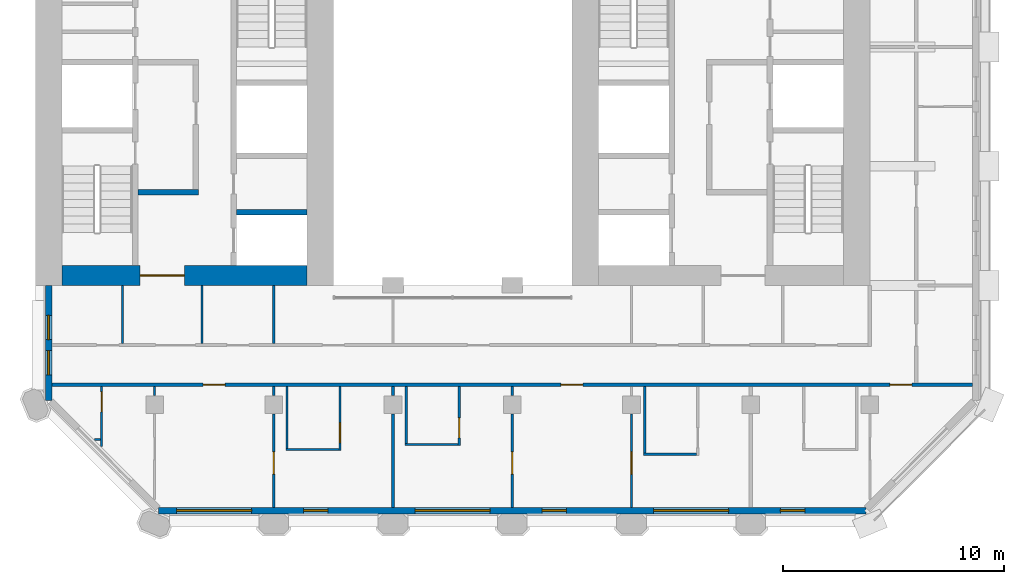
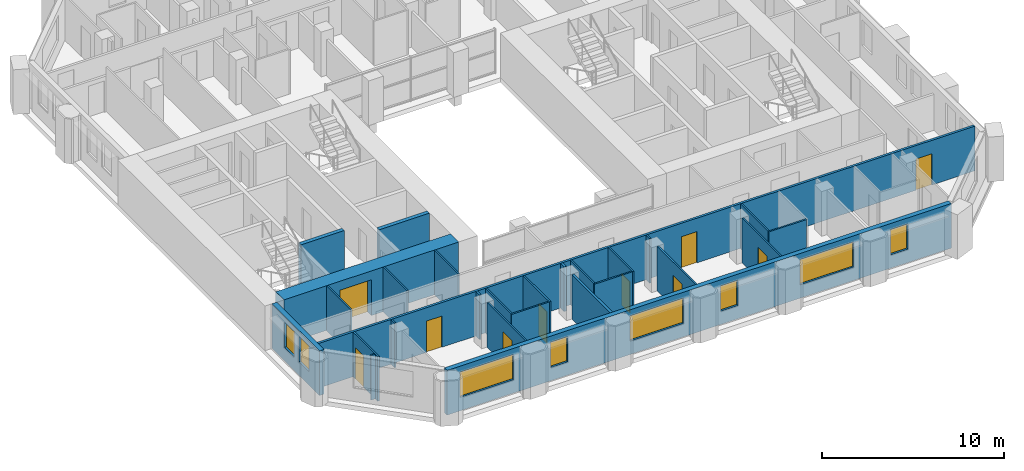
# One storey, part 4 of 13: 27 walls, 10 doors, 8 windows, 18 openings.
"""IFC4 building model written with IfcOpenShell, lengths in metres."""

from ifc_helpers import new_model, si_unit, direction, frame, frame_2d, origin, place, context, subcontext, project, spatial, rectangle, extrude, material, layer, layer_set, type_object, element, fill, save


model = new_model("IFC4")

# Units and contexts
model_context = context("Model", 3, precision=1e-05, world=origin(), true_north=direction((0.0, 1.0)))
body_context = subcontext(model_context, "Body", "Model", "MODEL_VIEW")
ifc_project = project(units=[si_unit("LENGTHUNIT", "METRE"), si_unit("AREAUNIT", "SQUARE_METRE"), si_unit("VOLUMEUNIT", "CUBIC_METRE"), si_unit("PLANEANGLEUNIT", "RADIAN"), si_unit("MASSUNIT", "GRAM", prefix="KILO")], contexts=[model_context])

# Site, building, storey
site_placement = place(None, origin())
site = spatial("IfcSite", under=ifc_project, at=site_placement, CompositionType="ELEMENT")
building_placement = place(site_placement, origin())
building = spatial("IfcBuilding", under=site, at=building_placement, Name="Tabaq Tower and Sports Hall", CompositionType="ELEMENT")
storey_placement = place(building_placement, frame((0.0, 0.0, 200.5)))
storey = spatial("IfcBuildingStorey", under=building, at=storey_placement, Name="L49", CompositionType="ELEMENT", Elevation=200.5)

# Wall, opening, door
ifc_material_1 = material(Name="Concrete C50/60", Category="concrete")
ifc_layer_1 = layer(ifc_material_1, 0.89990234375)
ifc_layer_set_1 = layer_set([ifc_layer_1], Name="Core wall 900 Concrete C50/60")
wall_type_1 = type_object("IfcWallType", Name="Core wall 900 Concrete C50/60", PredefinedType="SOLIDWALL", material=ifc_layer_set_1)
wall_1_placement = place(storey_placement, frame((17.699951171875, 16.64990234375, 0.0), z_axis=(0.0, 0.0, 1.0), x_axis=(-1.0, 0.0, 0.0)))
wall_1 = element("IfcWall", 1, at=wall_1_placement, inside=storey, type_object=wall_type_1, Name="Core wall W L49", PredefinedType="SOLIDWALL", context=body_context, shape_type="SweptSolid", body=[
    extrude(rectangle(XDim=11.099853515625, YDim=0.89990234375, at=frame_2d((5.5498046875, 0.0))), origin(), (0.0, 0.0, 1.0), 3.0),
])
opening_1_placement = place(wall_1_placement, frame((5.550048828125, 0.0, 0.0)))
opening_1 = element("IfcOpeningElement", 2, at=opening_1_placement, cuts=wall_1, Name="Opening PD-WL49-01", PredefinedType="OPENING", context=body_context, shape_type="SweptSolid", body=[
    extrude(rectangle(XDim=2.0, YDim=2.39990234375, at=frame_2d((1.0, 1.199951171875))), frame((0.0, 0.449951171875, 0.0), z_axis=(0.0, -1.0, 0.0), x_axis=(1.0, 0.0, 0.0)), (0.0, 0.0, 1.0), 0.89990234375),
])
ifc_material_2 = material(Name="Steel fire door", Category="steel")
door_type_1 = type_object("IfcDoorType", Name="Core entrance door 2000", OperationType="DOUBLE_DOOR_SINGLE_SWING", PredefinedType="DOOR", material=ifc_material_2)
door_1_placement = place(opening_1_placement, origin())
door_1 = element("IfcDoor", 3, at=door_1_placement, inside=storey, type_object=door_type_1, Name="Core entrance south W L49", OperationType="DOUBLE_DOOR_SINGLE_SWING", OverallHeight=2.39990234375, OverallWidth=2.0, PredefinedType="DOOR", context=body_context, shape_type="SweptSolid", body=[
    extrude(rectangle(XDim=2.0, YDim=2.39990234375, at=frame_2d((1.0, 1.199951171875))), frame((0.0, 0.02490234375, 0.0), z_axis=(0.0, -1.0, 0.0), x_axis=(1.0, 0.0, 0.0)), (0.0, 0.0, 1.0), 0.050048828125),
])
fill(opening_1, door_1)

# Wall
ifc_material_3 = material(Name="Gypsum board on steel studs", Category="steel")
ifc_layer_2 = layer(ifc_material_3, 0.10009765625)
ifc_layer_set_2 = layer_set([ifc_layer_2], Name="Partition 100 Gypsum board")
wall_type_2 = type_object("IfcWallType", Name="Partition 100 Gypsum board", PredefinedType="PARTITIONING", material=ifc_layer_set_2)
wall_2_placement = place(storey_placement, frame((10.800048828125, 11.219970703125, 0.0), z_axis=(0.0, 0.0, 1.0), x_axis=(0.0, 1.0, 0.0)))
element("IfcWall", 4, at=wall_2_placement, inside=storey, type_object=wall_type_2, Name="Partition wall L49", PredefinedType="PARTITIONING", context=body_context, shape_type="SweptSolid", body=[
    extrude(rectangle(XDim=0.405029296875, YDim=0.10009765625, at=frame_2d((0.20263671875, 0.0))), origin(), (0.0, 0.0, 1.0), 3.0),
])

# Wall, opening, door
wall_3_placement = place(storey_placement, frame((8.39990234375, 11.625, 0.0), z_axis=(0.0, 0.0, 1.0), x_axis=(0.0, -1.0, 0.0)))
wall_3 = element("IfcWall", 5, at=wall_3_placement, inside=storey, type_object=wall_type_2, Name="Partition wall L49", PredefinedType="PARTITIONING", context=body_context, shape_type="SweptSolid", body=[
    extrude(rectangle(XDim=2.71435546875, YDim=0.10009765625, at=frame_2d((1.357177734375, 0.0))), origin(), (0.0, 0.0, 1.0), 3.0),
])
opening_2_placement = place(wall_3_placement, frame((0.25, 0.0, 0.0)))
opening_2 = element("IfcOpeningElement", 6, at=opening_2_placement, cuts=wall_3, Name="Opening L49-019", PredefinedType="OPENING", context=body_context, shape_type="SweptSolid", body=[
    extrude(rectangle(XDim=0.89990234375, YDim=2.10009765625, at=frame_2d((0.449951171875, 1.050048828125))), frame((0.0, 0.050048828125, 0.0), z_axis=(0.0, -1.0, 0.0), x_axis=(1.0, 0.0, 0.0)), (0.0, 0.0, 1.0), 0.10009765625),
])
ifc_material_4 = material(Name="Timber leaf in steel frame", Category="steel")
door_type_2 = type_object("IfcDoorType", Name="Internal door 900 left hand", OperationType="SINGLE_SWING_LEFT", PredefinedType="DOOR", material=ifc_material_4)
door_2_placement = place(opening_2_placement, origin())
door_2 = element("IfcDoor", 7, at=door_2_placement, inside=storey, type_object=door_type_2, Name="Internal door L49-019", OperationType="SINGLE_SWING_LEFT", OverallHeight=2.10009765625, OverallWidth=0.89990234375, PredefinedType="DOOR", context=body_context, shape_type="SweptSolid", body=[
    extrude(rectangle(XDim=0.89990234375, YDim=2.10009765625, at=frame_2d((0.449951171875, 1.050048828125))), frame((0.0, 0.02490234375, 0.0), z_axis=(0.0, -1.0, 0.0), x_axis=(1.0, 0.0, 0.0)), (0.0, 0.0, 1.0), 0.050048828125),
])
fill(opening_2, door_2)

# Wall
wall_4_placement = place(storey_placement, frame((8.35009765625, 9.22509765625, 0.0), z_axis=(0.0, 0.0, 1.0), x_axis=(-1.0, 0.0, 0.0)))
element("IfcWall", 8, at=wall_4_placement, inside=storey, type_object=wall_type_2, Name="Partition wall L49", PredefinedType="PARTITIONING", context=body_context, shape_type="SweptSolid", body=[
    extrude(rectangle(XDim=0.262939453125, YDim=0.10009765625, at=frame_2d((0.13134765625, 0.0))), origin(), (0.0, 0.0, 1.0), 3.0),
])

# Wall, opening, door
wall_5_placement = place(storey_placement, frame((19.199951171875, 11.625, 0.0), z_axis=(0.0, 0.0, 1.0), x_axis=(0.0, -1.0, 0.0)))
wall_5 = element("IfcWall", 9, at=wall_5_placement, inside=storey, type_object=wall_type_2, Name="Partition wall L49", PredefinedType="PARTITIONING", context=body_context, shape_type="SweptSolid", body=[
    extrude(rectangle(XDim=2.89990234375, YDim=0.10009765625, at=frame_2d((1.449951171875, 0.0))), origin(), (0.0, 0.0, 1.0), 3.0),
])
opening_3_placement = place(wall_5_placement, frame((1.64990234375, 0.0, 0.0)))
opening_3 = element("IfcOpeningElement", 10, at=opening_3_placement, cuts=wall_5, Name="Opening L49-020", PredefinedType="OPENING", context=body_context, shape_type="SweptSolid", body=[
    extrude(rectangle(XDim=0.89990234375, YDim=2.10009765625, at=frame_2d((0.449951171875, 1.050048828125))), frame((0.0, 0.050048828125, 0.0), z_axis=(0.0, -1.0, 0.0), x_axis=(1.0, 0.0, 0.0)), (0.0, 0.0, 1.0), 0.10009765625),
])
ifc_material_5 = material(Name="Timber leaf in steel frame", Category="steel")
door_type_3 = type_object("IfcDoorType", Name="Internal door 900 right hand", OperationType="SINGLE_SWING_RIGHT", PredefinedType="DOOR", material=ifc_material_5)
door_3_placement = place(opening_3_placement, origin())
door_3 = element("IfcDoor", 11, at=door_3_placement, inside=storey, type_object=door_type_3, Name="Internal door L49-020", OperationType="SINGLE_SWING_RIGHT", OverallHeight=2.10009765625, OverallWidth=0.89990234375, PredefinedType="DOOR", context=body_context, shape_type="SweptSolid", body=[
    extrude(rectangle(XDim=0.89990234375, YDim=2.10009765625, at=frame_2d((0.449951171875, 1.050048828125))), frame((0.0, 0.02490234375, 0.0), z_axis=(0.0, -1.0, 0.0), x_axis=(1.0, 0.0, 0.0)), (0.0, 0.0, 1.0), 0.050048828125),
])
fill(opening_3, door_3)

# Walls
wall_6_placement = place(storey_placement, frame((19.14990234375, 8.77490234375, 0.0), z_axis=(0.0, 0.0, 1.0), x_axis=(-1.0, 0.0, 0.0)))
element("IfcWall", 12, at=wall_6_placement, inside=storey, type_object=wall_type_2, Name="Partition wall L49", PredefinedType="PARTITIONING", context=body_context, shape_type="SweptSolid", body=[
    extrude(rectangle(XDim=2.39990234375, YDim=0.10009765625, at=frame_2d((1.199951171875, 0.0))), origin(), (0.0, 0.0, 1.0), 3.0),
])
wall_7_placement = place(storey_placement, frame((16.800048828125, 8.824951171875, 0.0), z_axis=(0.0, 0.0, 1.0), x_axis=(0.0, 1.0, 0.0)))
element("IfcWall", 13, at=wall_7_placement, inside=storey, type_object=wall_type_2, Name="Partition wall L49", PredefinedType="PARTITIONING", context=body_context, shape_type="SweptSolid", body=[
    extrude(rectangle(XDim=2.800048828125, YDim=0.10009765625, at=frame_2d((1.39990234375, 0.0))), origin(), (0.0, 0.0, 1.0), 3.0),
])
wall_8_placement = place(storey_placement, frame((16.199951171875, 11.625, 0.0), z_axis=(0.0, 0.0, 1.0), x_axis=(0.0, -1.0, 0.0)))
element("IfcWall", 14, at=wall_8_placement, inside=storey, type_object=wall_type_2, Name="Partition wall L49", PredefinedType="PARTITIONING", context=body_context, shape_type="SweptSolid", body=[
    extrude(rectangle(XDim=0.405029296875, YDim=0.10009765625, at=frame_2d((0.20263671875, 0.0))), origin(), (0.0, 0.0, 1.0), 3.0),
])

# Wall, opening, door
wall_9_placement = place(storey_placement, frame((16.199951171875, 10.3798828125, 0.0), z_axis=(0.0, 0.0, 1.0), x_axis=(0.0, -1.0, 0.0)))
wall_9 = element("IfcWall", 15, at=wall_9_placement, inside=storey, type_object=wall_type_2, Name="Partition wall L49", PredefinedType="PARTITIONING", context=body_context, shape_type="SweptSolid", body=[
    extrude(rectangle(XDim=4.22900390625, YDim=0.10009765625, at=frame_2d((2.114501953125, 0.0))), origin(), (0.0, 0.0, 1.0), 3.0),
])
opening_4_placement = place(wall_9_placement, frame((1.721923828125, 0.0, 0.0)))
opening_4 = element("IfcOpeningElement", 16, at=opening_4_placement, cuts=wall_9, Name="Opening L49-044", PredefinedType="OPENING", context=body_context, shape_type="SweptSolid", body=[
    extrude(rectangle(XDim=1.0, YDim=2.10009765625, at=frame_2d((0.5, 1.050048828125))), frame((0.0, 0.050048828125, 0.0), z_axis=(0.0, -1.0, 0.0), x_axis=(1.0, 0.0, 0.0)), (0.0, 0.0, 1.0), 0.10009765625),
])
ifc_material_6 = material(Name="Timber leaf in steel frame", Category="steel")
door_type_4 = type_object("IfcDoorType", Name="Internal door 1000 left hand", OperationType="SINGLE_SWING_LEFT", PredefinedType="DOOR", material=ifc_material_6)
door_4_placement = place(opening_4_placement, origin())
door_4 = element("IfcDoor", 17, at=door_4_placement, inside=storey, type_object=door_type_4, Name="Internal door L49-044", OperationType="SINGLE_SWING_LEFT", OverallHeight=2.10009765625, OverallWidth=1.0, PredefinedType="DOOR", context=body_context, shape_type="SweptSolid", body=[
    extrude(rectangle(XDim=1.0, YDim=2.10009765625, at=frame_2d((0.5, 1.050048828125))), frame((0.0, 0.02490234375, 0.0), z_axis=(0.0, -1.0, 0.0), x_axis=(1.0, 0.0, 0.0)), (0.0, 0.0, 1.0), 0.050048828125),
])
fill(opening_4, door_4)

wall_10_placement = place(storey_placement, frame((27.0, 6.15087890625, 0.0), z_axis=(0.0, 0.0, 1.0), x_axis=(0.0, 1.0, 0.0)))
wall_10 = element("IfcWall", 18, at=wall_10_placement, inside=storey, type_object=wall_type_2, Name="Partition wall L49", PredefinedType="PARTITIONING", context=body_context, shape_type="SweptSolid", body=[
    extrude(rectangle(XDim=4.22900390625, YDim=0.10009765625, at=frame_2d((2.114501953125, 0.0))), origin(), (0.0, 0.0, 1.0), 3.0),
])
opening_5_placement = place(wall_10_placement, frame((1.507080078125, 0.0, 0.0)))
opening_5 = element("IfcOpeningElement", 19, at=opening_5_placement, cuts=wall_10, Name="Opening L49-045", PredefinedType="OPENING", context=body_context, shape_type="SweptSolid", body=[
    extrude(rectangle(XDim=1.0, YDim=2.10009765625, at=frame_2d((0.5, 1.050048828125))), frame((0.0, 0.050048828125, 0.0), z_axis=(0.0, -1.0, 0.0), x_axis=(1.0, 0.0, 0.0)), (0.0, 0.0, 1.0), 0.10009765625),
])
door_5_placement = place(opening_5_placement, origin())
door_5 = element("IfcDoor", 20, at=door_5_placement, inside=storey, type_object=door_type_4, Name="Internal door L49-045", OperationType="SINGLE_SWING_LEFT", OverallHeight=2.10009765625, OverallWidth=1.0, PredefinedType="DOOR", context=body_context, shape_type="SweptSolid", body=[
    extrude(rectangle(XDim=1.0, YDim=2.10009765625, at=frame_2d((0.5, 1.050048828125))), frame((0.0, 0.02490234375, 0.0), z_axis=(0.0, -1.0, 0.0), x_axis=(1.0, 0.0, 0.0)), (0.0, 0.0, 1.0), 0.050048828125),
])
fill(opening_5, door_5)

# Wall
wall_11_placement = place(storey_placement, frame((27.0, 11.219970703125, 0.0), z_axis=(0.0, 0.0, 1.0), x_axis=(0.0, 1.0, 0.0)))
element("IfcWall", 21, at=wall_11_placement, inside=storey, type_object=wall_type_2, Name="Partition wall L49", PredefinedType="PARTITIONING", context=body_context, shape_type="SweptSolid", body=[
    extrude(rectangle(XDim=0.405029296875, YDim=0.10009765625, at=frame_2d((0.20263671875, 0.0))), origin(), (0.0, 0.0, 1.0), 3.0),
])

# Wall, opening, door
wall_12_placement = place(storey_placement, frame((24.60009765625, 11.625, 0.0), z_axis=(0.0, 0.0, 1.0), x_axis=(0.0, -1.0, 0.0)))
wall_12 = element("IfcWall", 22, at=wall_12_placement, inside=storey, type_object=wall_type_2, Name="Partition wall L49", PredefinedType="PARTITIONING", context=body_context, shape_type="SweptSolid", body=[
    extrude(rectangle(XDim=2.675048828125, YDim=0.10009765625, at=frame_2d((1.33740234375, 0.0))), origin(), (0.0, 0.0, 1.0), 3.0),
])
opening_6_placement = place(wall_12_placement, frame((1.425048828125, 0.0, 0.0)))
opening_6 = element("IfcOpeningElement", 23, at=opening_6_placement, cuts=wall_12, Name="Opening L49-021", PredefinedType="OPENING", context=body_context, shape_type="SweptSolid", body=[
    extrude(rectangle(XDim=0.89990234375, YDim=2.10009765625, at=frame_2d((0.449951171875, 1.050048828125))), frame((0.0, 0.050048828125, 0.0), z_axis=(0.0, -1.0, 0.0), x_axis=(1.0, 0.0, 0.0)), (0.0, 0.0, 1.0), 0.10009765625),
])
door_6_placement = place(opening_6_placement, origin())
door_6 = element("IfcDoor", 24, at=door_6_placement, inside=storey, type_object=door_type_2, Name="Internal door L49-021", OperationType="SINGLE_SWING_LEFT", OverallHeight=2.10009765625, OverallWidth=0.89990234375, PredefinedType="DOOR", context=body_context, shape_type="SweptSolid", body=[
    extrude(rectangle(XDim=0.89990234375, YDim=2.10009765625, at=frame_2d((0.449951171875, 1.050048828125))), frame((0.0, 0.02490234375, 0.0), z_axis=(0.0, -1.0, 0.0), x_axis=(1.0, 0.0, 0.0)), (0.0, 0.0, 1.0), 0.050048828125),
])
fill(opening_6, door_6)

# Walls
wall_13_placement = place(storey_placement, frame((24.550048828125, 9.0, 0.0), z_axis=(0.0, 0.0, 1.0), x_axis=(-1.0, 0.0, 0.0)))
element("IfcWall", 25, at=wall_13_placement, inside=storey, type_object=wall_type_2, Name="Partition wall L49", PredefinedType="PARTITIONING", context=body_context, shape_type="SweptSolid", body=[
    extrude(rectangle(XDim=2.400146484375, YDim=0.10009765625, at=frame_2d((1.2001953125, 0.0))), origin(), (0.0, 0.0, 1.0), 3.0),
])
wall_14_placement = place(storey_placement, frame((22.199951171875, 9.050048828125, 0.0), z_axis=(0.0, 0.0, 1.0), x_axis=(0.0, 1.0, 0.0)))
element("IfcWall", 26, at=wall_14_placement, inside=storey, type_object=wall_type_2, Name="Partition wall L49", PredefinedType="PARTITIONING", context=body_context, shape_type="SweptSolid", body=[
    extrude(rectangle(XDim=2.574951171875, YDim=0.10009765625, at=frame_2d((1.28759765625, 0.0))), origin(), (0.0, 0.0, 1.0), 3.0),
])
wall_15_placement = place(storey_placement, frame((35.35009765625, 8.550048828125, 0.0), z_axis=(0.0, 0.0, 1.0), x_axis=(-1.0, 0.0, 0.0)))
element("IfcWall", 27, at=wall_15_placement, inside=storey, type_object=wall_type_2, Name="Partition wall L49", PredefinedType="PARTITIONING", context=body_context, shape_type="SweptSolid", body=[
    extrude(rectangle(XDim=2.400146484375, YDim=0.10009765625, at=frame_2d((1.2001953125, 0.0))), origin(), (0.0, 0.0, 1.0), 3.0),
])
wall_16_placement = place(storey_placement, frame((33.0, 8.60009765625, 0.0), z_axis=(0.0, 0.0, 1.0), x_axis=(0.0, 1.0, 0.0)))
element("IfcWall", 28, at=wall_16_placement, inside=storey, type_object=wall_type_2, Name="Partition wall L49", PredefinedType="PARTITIONING", context=body_context, shape_type="SweptSolid", body=[
    extrude(rectangle(XDim=3.02490234375, YDim=0.10009765625, at=frame_2d((1.512451171875, 0.0))), origin(), (0.0, 0.0, 1.0), 3.0),
])

# Wall, opening, door
wall_17_placement = place(storey_placement, frame((32.39990234375, 10.3798828125, 0.0), z_axis=(0.0, 0.0, 1.0), x_axis=(0.0, -1.0, 0.0)))
wall_17 = element("IfcWall", 29, at=wall_17_placement, inside=storey, type_object=wall_type_2, Name="Partition wall L49", PredefinedType="PARTITIONING", context=body_context, shape_type="SweptSolid", body=[
    extrude(rectangle(XDim=4.22900390625, YDim=0.10009765625, at=frame_2d((2.114501953125, 0.0))), origin(), (0.0, 0.0, 1.0), 3.0),
])
opening_7_placement = place(wall_17_placement, frame((1.721923828125, 0.0, 0.0)))
opening_7 = element("IfcOpeningElement", 30, at=opening_7_placement, cuts=wall_17, Name="Opening L49-046", PredefinedType="OPENING", context=body_context, shape_type="SweptSolid", body=[
    extrude(rectangle(XDim=1.0, YDim=2.10009765625, at=frame_2d((0.5, 1.050048828125))), frame((0.0, 0.050048828125, 0.0), z_axis=(0.0, -1.0, 0.0), x_axis=(1.0, 0.0, 0.0)), (0.0, 0.0, 1.0), 0.10009765625),
])
door_7_placement = place(opening_7_placement, origin())
door_7 = element("IfcDoor", 31, at=door_7_placement, inside=storey, type_object=door_type_4, Name="Internal door L49-046", OperationType="SINGLE_SWING_LEFT", OverallHeight=2.10009765625, OverallWidth=1.0, PredefinedType="DOOR", context=body_context, shape_type="SweptSolid", body=[
    extrude(rectangle(XDim=1.0, YDim=2.10009765625, at=frame_2d((0.5, 1.050048828125))), frame((0.0, 0.02490234375, 0.0), z_axis=(0.0, -1.0, 0.0), x_axis=(1.0, 0.0, 0.0)), (0.0, 0.0, 1.0), 0.050048828125),
])
fill(opening_7, door_7)

# Walls
for number, where, z_axis, x_axis, name in (
    (32, (16.199951171875, 16.199951171875, 0.0), (0.0, 0.0, 1.0), (0.0, -1.0, 0.0), "Partition wall L49"),
    (33, (9.35009765625, 16.199951171875, 0.0), (0.0, 0.0, 1.0), (0.0, -1.0, 0.0), "Partition wall L49"),
    (34, (12.949951171875, 13.574951171875, 0.0), (0.0, 0.0, 1.0), (0.0, 1.0, 0.0), "Partition wall L49"),
):
    element("IfcWall", number, at=place(storey_placement, frame(where, z_axis=z_axis, x_axis=x_axis)), inside=storey, type_object=wall_type_2, Name=name, PredefinedType="PARTITIONING", context=body_context, shape_type="SweptSolid", body=[
        extrude(rectangle(XDim=2.625, YDim=0.10009765625, at=frame_2d((1.3125, 0.0))), origin(), (0.0, 0.0, 1.0), 3.0),
    ])
ifc_material_7 = material(Name="Blockwork", Category="masonry")
ifc_layer_3 = layer(ifc_material_7, 0.14990234375)
ifc_layer_set_3 = layer_set([ifc_layer_3], Name="Separating wall 150 Blockwork")
wall_type_3 = type_object("IfcWallType", Name="Separating wall 150 Blockwork", PredefinedType="PARTITIONING", material=ifc_layer_set_3)
wall_18_placement = place(storey_placement, frame((21.60009765625, 6.15087890625, 0.0), z_axis=(0.0, 0.0, 1.0), x_axis=(0.0, 1.0, 0.0)))
element("IfcWall", 35, at=wall_18_placement, inside=storey, type_object=wall_type_3, Name="Separating wall L49", PredefinedType="PARTITIONING", context=body_context, shape_type="SweptSolid", body=[
    extrude(rectangle(XDim=4.22900390625, YDim=0.14990234375, at=frame_2d((2.114501953125, 0.0))), origin(), (0.0, 0.0, 1.0), 3.0),
])
wall_19_placement = place(storey_placement, frame((21.60009765625, 11.219970703125, 0.0), z_axis=(0.0, 0.0, 1.0), x_axis=(0.0, 1.0, 0.0)))
element("IfcWall", 36, at=wall_19_placement, inside=storey, type_object=wall_type_3, Name="Separating wall L49", PredefinedType="PARTITIONING", context=body_context, shape_type="SweptSolid", body=[
    extrude(rectangle(XDim=0.405029296875, YDim=0.14990234375, at=frame_2d((0.20263671875, 0.0))), origin(), (0.0, 0.0, 1.0), 3.0),
])

# Wall, openings, doors
wall_20_placement = place(storey_placement, frame((6.15087890625, 11.699951171875, 0.0), z_axis=(0.0, 0.0, 1.0), x_axis=(1.0, 0.0, 0.0)))
wall_20 = element("IfcWall", 37, at=wall_20_placement, inside=storey, type_object=wall_type_3, Name="Separating wall L49", PredefinedType="PARTITIONING", context=body_context, shape_type="SweptSolid", body=[
    extrude(rectangle(XDim=41.6982421875, YDim=0.14990234375, at=frame_2d((20.84912109375, 0.0))), origin(), (0.0, 0.0, 1.0), 3.0),
])
opening_8_placement = place(wall_20_placement, frame((37.9541015625, 0.0, 0.0)))
opening_8 = element("IfcOpeningElement", 38, at=opening_8_placement, cuts=wall_20, Name="Opening L49-048", PredefinedType="OPENING", context=body_context, shape_type="SweptSolid", body=[
    extrude(rectangle(XDim=1.0, YDim=2.10009765625, at=frame_2d((0.5, 1.050048828125))), frame((0.0, 0.074951171875, 0.0), z_axis=(0.0, -1.0, 0.0), x_axis=(1.0, 0.0, 0.0)), (0.0, 0.0, 1.0), 0.14990234375),
])
opening_9_placement = place(wall_20_placement, frame((6.84912109375, 0.0, 0.0)))
opening_9 = element("IfcOpeningElement", 39, at=opening_9_placement, cuts=wall_20, Name="Opening L49-052", PredefinedType="OPENING", context=body_context, shape_type="SweptSolid", body=[
    extrude(rectangle(XDim=1.0, YDim=2.10009765625, at=frame_2d((0.5, 1.050048828125))), frame((0.0, 0.074951171875, 0.0), z_axis=(0.0, -1.0, 0.0), x_axis=(1.0, 0.0, 0.0)), (0.0, 0.0, 1.0), 0.14990234375),
])
opening_10_placement = place(wall_20_placement, frame((23.049072265625, 0.0, 0.0)))
opening_10 = element("IfcOpeningElement", 40, at=opening_10_placement, cuts=wall_20, Name="Opening L49-053", PredefinedType="OPENING", context=body_context, shape_type="SweptSolid", body=[
    extrude(rectangle(XDim=1.0, YDim=2.10009765625, at=frame_2d((0.5, 1.050048828125))), frame((0.0, 0.074951171875, 0.0), z_axis=(0.0, -1.0, 0.0), x_axis=(1.0, 0.0, 0.0)), (0.0, 0.0, 1.0), 0.14990234375),
])
ifc_material_8 = material(Name="Steel fire door", Category="steel")
door_type_5 = type_object("IfcDoorType", Name="Entrance door 1000 left hand", OperationType="SINGLE_SWING_LEFT", PredefinedType="DOOR", material=ifc_material_8)
door_8_placement = place(opening_8_placement, origin())
door_8 = element("IfcDoor", 41, at=door_8_placement, inside=storey, type_object=door_type_5, Name="Entrance door L49-048", OperationType="SINGLE_SWING_LEFT", OverallHeight=2.10009765625, OverallWidth=1.0, PredefinedType="DOOR", context=body_context, shape_type="SweptSolid", body=[
    extrude(rectangle(XDim=1.0, YDim=2.10009765625, at=frame_2d((0.5, 1.050048828125))), frame((0.0, 0.02490234375, 0.0), z_axis=(0.0, -1.0, 0.0), x_axis=(1.0, 0.0, 0.0)), (0.0, 0.0, 1.0), 0.050048828125),
])
fill(opening_8, door_8)
door_9_placement = place(opening_10_placement, origin())
door_9 = element("IfcDoor", 42, at=door_9_placement, inside=storey, type_object=door_type_5, Name="Entrance door L49-053", OperationType="SINGLE_SWING_LEFT", OverallHeight=2.10009765625, OverallWidth=1.0, PredefinedType="DOOR", context=body_context, shape_type="SweptSolid", body=[
    extrude(rectangle(XDim=1.0, YDim=2.10009765625, at=frame_2d((0.5, 1.050048828125))), frame((0.0, 0.02490234375, 0.0), z_axis=(0.0, -1.0, 0.0), x_axis=(1.0, 0.0, 0.0)), (0.0, 0.0, 1.0), 0.050048828125),
])
fill(opening_10, door_9)
ifc_material_9 = material(Name="Steel fire door", Category="steel")
door_type_6 = type_object("IfcDoorType", Name="Entrance door 1000 right hand", OperationType="SINGLE_SWING_RIGHT", PredefinedType="DOOR", material=ifc_material_9)
door_10_placement = place(opening_9_placement, origin())
door_10 = element("IfcDoor", 43, at=door_10_placement, inside=storey, type_object=door_type_6, Name="Entrance door L49-052", OperationType="SINGLE_SWING_RIGHT", OverallHeight=2.10009765625, OverallWidth=1.0, PredefinedType="DOOR", context=body_context, shape_type="SweptSolid", body=[
    extrude(rectangle(XDim=1.0, YDim=2.10009765625, at=frame_2d((0.5, 1.050048828125))), frame((0.0, 0.02490234375, 0.0), z_axis=(0.0, -1.0, 0.0), x_axis=(1.0, 0.0, 0.0)), (0.0, 0.0, 1.0), 0.050048828125),
])
fill(opening_9, door_10)

# Walls
ifc_material_10 = material(Name="Concrete C40/50", Category="concrete")
ifc_layer_4 = layer(ifc_material_10, 0.25)
ifc_layer_set_4 = layer_set([ifc_layer_4], Name="Shaft and stair wall 250 Concrete C40/50")
wall_type_4 = type_object("IfcWallType", Name="Shaft and stair wall 250 Concrete C40/50", PredefinedType="SOLIDWALL", material=ifc_layer_set_4)
wall_21_placement = place(storey_placement, frame((10.050048828125, 20.425048828125, 0.0), z_axis=(0.0, 0.0, 1.0), x_axis=(1.0, 0.0, 0.0)))
element("IfcWall", 44, at=wall_21_placement, inside=storey, type_object=wall_type_4, Name="Fire-fighting lobby wall W L49", PredefinedType="SOLIDWALL", context=body_context, shape_type="SweptSolid", body=[
    extrude(rectangle(XDim=2.75, YDim=0.25, at=frame_2d((1.375, 0.0))), origin(), (0.0, 0.0, 1.0), 3.0),
])
wall_22_placement = place(storey_placement, frame((14.5, 19.52490234375, 0.0), z_axis=(0.0, 0.0, 1.0), x_axis=(1.0, 0.0, 0.0)))
element("IfcWall", 45, at=wall_22_placement, inside=storey, type_object=wall_type_4, Name="Shaft wall W L49", PredefinedType="SOLIDWALL", context=body_context, shape_type="SweptSolid", body=[
    extrude(rectangle(XDim=3.199951171875, YDim=0.25, at=frame_2d((1.60009765625, 0.0))), origin(), (0.0, 0.0, 1.0), 3.0),
])

# Wall, openings, windows
ifc_material_11 = material(Name="White precast concrete C60/75", Category="concrete")
ifc_layer_5 = layer(ifc_material_11, 0.300048828125)
ifc_layer_set_5 = layer_set([ifc_layer_5], Name="White precast concrete C60/75 external wall 300")
wall_type_5 = type_object("IfcWallType", Name="White precast concrete C60/75 external wall 300", PredefinedType="SOLIDWALL", material=ifc_layer_set_5)
wall_23_placement = place(storey_placement, frame((10.986328125, 6.0, 0.0), z_axis=(0.0, 0.0, 1.0), x_axis=(1.0, 0.0, 0.0)))
wall_23 = element("IfcWall", 46, at=wall_23_placement, inside=storey, type_object=wall_type_5, Name="External Wall L49 S", PredefinedType="SOLIDWALL", context=body_context, shape_type="SweptSolid", body=[
    extrude(rectangle(XDim=32.02734375, YDim=0.300048828125, at=frame_2d((16.013671875, 0.0))), origin(), (0.0, 0.0, 1.0), 3.0),
])
opening_11_placement = place(wall_23_placement, frame((0.813720703125, 0.0, 0.89990234375)))
opening_11 = element("IfcOpeningElement", 47, at=opening_11_placement, cuts=wall_23, Name="Opening W1A", PredefinedType="OPENING", context=body_context, shape_type="SweptSolid", body=[
    extrude(rectangle(XDim=3.39990234375, YDim=1.699951171875, at=frame_2d((1.699951171875, 0.85009765625))), frame((0.0, 0.16015625, 0.0), z_axis=(0.0, -1.0, 0.0), x_axis=(1.0, 0.0, 0.0)), (0.0, 0.0, 1.0), 0.320068359375),
])
opening_12_placement = place(wall_23_placement, frame((6.563720703125, 0.0, 0.89990234375)))
opening_12 = element("IfcOpeningElement", 48, at=opening_12_placement, cuts=wall_23, Name="Opening W1B", PredefinedType="OPENING", context=body_context, shape_type="SweptSolid", body=[
    extrude(rectangle(XDim=1.10009765625, YDim=1.699951171875, at=frame_2d((0.550048828125, 0.85009765625))), frame((0.0, 0.16015625, 0.0), z_axis=(0.0, -1.0, 0.0), x_axis=(1.0, 0.0, 0.0)), (0.0, 0.0, 1.0), 0.320068359375),
])
opening_13_placement = place(wall_23_placement, frame((11.613525390625, 0.0, 0.89990234375)))
opening_13 = element("IfcOpeningElement", 49, at=opening_13_placement, cuts=wall_23, Name="Opening W1A", PredefinedType="OPENING", context=body_context, shape_type="SweptSolid", body=[
    extrude(rectangle(XDim=3.39990234375, YDim=1.699951171875, at=frame_2d((1.699951171875, 0.85009765625))), frame((0.0, 0.16015625, 0.0), z_axis=(0.0, -1.0, 0.0), x_axis=(1.0, 0.0, 0.0)), (0.0, 0.0, 1.0), 0.320068359375),
])
opening_14_placement = place(wall_23_placement, frame((17.363525390625, 0.0, 0.89990234375)))
opening_14 = element("IfcOpeningElement", 50, at=opening_14_placement, cuts=wall_23, Name="Opening W1B", PredefinedType="OPENING", context=body_context, shape_type="SweptSolid", body=[
    extrude(rectangle(XDim=1.10009765625, YDim=1.699951171875, at=frame_2d((0.550048828125, 0.85009765625))), frame((0.0, 0.16015625, 0.0), z_axis=(0.0, -1.0, 0.0), x_axis=(1.0, 0.0, 0.0)), (0.0, 0.0, 1.0), 0.320068359375),
])
opening_15_placement = place(wall_23_placement, frame((22.41357421875, 0.0, 0.89990234375)))
opening_15 = element("IfcOpeningElement", 51, at=opening_15_placement, cuts=wall_23, Name="Opening W1A", PredefinedType="OPENING", context=body_context, shape_type="SweptSolid", body=[
    extrude(rectangle(XDim=3.39990234375, YDim=1.699951171875, at=frame_2d((1.699951171875, 0.85009765625))), frame((0.0, 0.16015625, 0.0), z_axis=(0.0, -1.0, 0.0), x_axis=(1.0, 0.0, 0.0)), (0.0, 0.0, 1.0), 0.320068359375),
])
opening_16_placement = place(wall_23_placement, frame((28.16357421875, 0.0, 0.89990234375)))
opening_16 = element("IfcOpeningElement", 52, at=opening_16_placement, cuts=wall_23, Name="Opening W1B", PredefinedType="OPENING", context=body_context, shape_type="SweptSolid", body=[
    extrude(rectangle(XDim=1.10009765625, YDim=1.699951171875, at=frame_2d((0.550048828125, 0.85009765625))), frame((0.0, 0.16015625, 0.0), z_axis=(0.0, -1.0, 0.0), x_axis=(1.0, 0.0, 0.0)), (0.0, 0.0, 1.0), 0.320068359375),
])
ifc_material_12 = material(Name="Aluminium framed clear glazing", Category="aluminium")
window_type_1 = type_object("IfcWindowType", Name="Window W1A", PartitioningType="SINGLE_PANEL", PredefinedType="WINDOW", material=ifc_material_12)
window_1_placement = place(opening_11_placement, origin())
window_1 = element("IfcWindow", 53, at=window_1_placement, inside=storey, type_object=window_type_1, Name="Window W1A L49", OverallHeight=1.699951171875, OverallWidth=3.39990234375, PartitioningType="SINGLE_PANEL", PredefinedType="WINDOW", context=body_context, shape_type="SweptSolid", body=[
    extrude(rectangle(XDim=3.39990234375, YDim=1.699951171875, at=frame_2d((1.699951171875, 0.85009765625))), frame((0.0, 0.030029296875, 0.0), z_axis=(0.0, -1.0, 0.0), x_axis=(1.0, 0.0, 0.0)), (0.0, 0.0, 1.0), 0.06005859375),
])
fill(opening_11, window_1)
window_2_placement = place(opening_13_placement, origin())
window_2 = element("IfcWindow", 54, at=window_2_placement, inside=storey, type_object=window_type_1, Name="Window W1A L49", OverallHeight=1.699951171875, OverallWidth=3.39990234375, PartitioningType="SINGLE_PANEL", PredefinedType="WINDOW", context=body_context, shape_type="SweptSolid", body=[
    extrude(rectangle(XDim=3.39990234375, YDim=1.699951171875, at=frame_2d((1.699951171875, 0.85009765625))), frame((0.0, 0.030029296875, 0.0), z_axis=(0.0, -1.0, 0.0), x_axis=(1.0, 0.0, 0.0)), (0.0, 0.0, 1.0), 0.06005859375),
])
fill(opening_13, window_2)
window_3_placement = place(opening_15_placement, origin())
window_3 = element("IfcWindow", 55, at=window_3_placement, inside=storey, type_object=window_type_1, Name="Window W1A L49", OverallHeight=1.699951171875, OverallWidth=3.39990234375, PartitioningType="SINGLE_PANEL", PredefinedType="WINDOW", context=body_context, shape_type="SweptSolid", body=[
    extrude(rectangle(XDim=3.39990234375, YDim=1.699951171875, at=frame_2d((1.699951171875, 0.85009765625))), frame((0.0, 0.030029296875, 0.0), z_axis=(0.0, -1.0, 0.0), x_axis=(1.0, 0.0, 0.0)), (0.0, 0.0, 1.0), 0.06005859375),
])
fill(opening_15, window_3)
ifc_material_13 = material(Name="Aluminium framed clear glazing", Category="aluminium")
window_type_2 = type_object("IfcWindowType", Name="Window W1B", PartitioningType="SINGLE_PANEL", PredefinedType="WINDOW", material=ifc_material_13)
window_4_placement = place(opening_12_placement, origin())
window_4 = element("IfcWindow", 56, at=window_4_placement, inside=storey, type_object=window_type_2, Name="Window W1B L49", OverallHeight=1.699951171875, OverallWidth=1.10009765625, PartitioningType="SINGLE_PANEL", PredefinedType="WINDOW", context=body_context, shape_type="SweptSolid", body=[
    extrude(rectangle(XDim=1.10009765625, YDim=1.699951171875, at=frame_2d((0.550048828125, 0.85009765625))), frame((0.0, 0.030029296875, 0.0), z_axis=(0.0, -1.0, 0.0), x_axis=(1.0, 0.0, 0.0)), (0.0, 0.0, 1.0), 0.06005859375),
])
fill(opening_12, window_4)
window_5_placement = place(opening_14_placement, origin())
window_5 = element("IfcWindow", 57, at=window_5_placement, inside=storey, type_object=window_type_2, Name="Window W1B L49", OverallHeight=1.699951171875, OverallWidth=1.10009765625, PartitioningType="SINGLE_PANEL", PredefinedType="WINDOW", context=body_context, shape_type="SweptSolid", body=[
    extrude(rectangle(XDim=1.10009765625, YDim=1.699951171875, at=frame_2d((0.550048828125, 0.85009765625))), frame((0.0, 0.030029296875, 0.0), z_axis=(0.0, -1.0, 0.0), x_axis=(1.0, 0.0, 0.0)), (0.0, 0.0, 1.0), 0.06005859375),
])
fill(opening_14, window_5)
window_6_placement = place(opening_16_placement, origin())
window_6 = element("IfcWindow", 58, at=window_6_placement, inside=storey, type_object=window_type_2, Name="Window W1B L49", OverallHeight=1.699951171875, OverallWidth=1.10009765625, PartitioningType="SINGLE_PANEL", PredefinedType="WINDOW", context=body_context, shape_type="SweptSolid", body=[
    extrude(rectangle(XDim=1.10009765625, YDim=1.699951171875, at=frame_2d((0.550048828125, 0.85009765625))), frame((0.0, 0.030029296875, 0.0), z_axis=(0.0, -1.0, 0.0), x_axis=(1.0, 0.0, 0.0)), (0.0, 0.0, 1.0), 0.06005859375),
])
fill(opening_16, window_6)

wall_24_placement = place(storey_placement, frame((6.0, 16.199951171875, 0.0), z_axis=(0.0, 0.0, 1.0), x_axis=(0.0, -1.0, 0.0)))
wall_24 = element("IfcWall", 59, at=wall_24_placement, inside=storey, type_object=wall_type_5, Name="External Wall L49 W", PredefinedType="SOLIDWALL", context=body_context, shape_type="SweptSolid", body=[
    extrude(rectangle(XDim=5.213623046875, YDim=0.300048828125, at=frame_2d((2.60693359375, 0.0))), origin(), (0.0, 0.0, 1.0), 3.0),
])
opening_17_placement = place(wall_24_placement, frame((1.35009765625, 0.0, 0.89990234375)))
opening_17 = element("IfcOpeningElement", 60, at=opening_17_placement, cuts=wall_24, Name="Opening W1B", PredefinedType="OPENING", context=body_context, shape_type="SweptSolid", body=[
    extrude(rectangle(XDim=1.10009765625, YDim=1.699951171875, at=frame_2d((0.550048828125, 0.85009765625))), frame((0.0, 0.16015625, 0.0), z_axis=(0.0, -1.0, 0.0), x_axis=(1.0, 0.0, 0.0)), (0.0, 0.0, 1.0), 0.320068359375),
])
opening_18_placement = place(wall_24_placement, frame((2.949951171875, 0.0, 0.89990234375)))
opening_18 = element("IfcOpeningElement", 61, at=opening_18_placement, cuts=wall_24, Name="Opening W1B", PredefinedType="OPENING", context=body_context, shape_type="SweptSolid", body=[
    extrude(rectangle(XDim=1.10009765625, YDim=1.699951171875, at=frame_2d((0.550048828125, 0.85009765625))), frame((0.0, 0.16015625, 0.0), z_axis=(0.0, -1.0, 0.0), x_axis=(1.0, 0.0, 0.0)), (0.0, 0.0, 1.0), 0.320068359375),
])
window_7_placement = place(opening_17_placement, origin())
window_7 = element("IfcWindow", 62, at=window_7_placement, inside=storey, type_object=window_type_2, Name="Window W1B L49", OverallHeight=1.699951171875, OverallWidth=1.10009765625, PartitioningType="SINGLE_PANEL", PredefinedType="WINDOW", context=body_context, shape_type="SweptSolid", body=[
    extrude(rectangle(XDim=1.10009765625, YDim=1.699951171875, at=frame_2d((0.550048828125, 0.85009765625))), frame((0.0, 0.030029296875, 0.0), z_axis=(0.0, -1.0, 0.0), x_axis=(1.0, 0.0, 0.0)), (0.0, 0.0, 1.0), 0.06005859375),
])
fill(opening_17, window_7)
window_8_placement = place(opening_18_placement, origin())
window_8 = element("IfcWindow", 63, at=window_8_placement, inside=storey, type_object=window_type_2, Name="Window W1B L49", OverallHeight=1.699951171875, OverallWidth=1.10009765625, PartitioningType="SINGLE_PANEL", PredefinedType="WINDOW", context=body_context, shape_type="SweptSolid", body=[
    extrude(rectangle(XDim=1.10009765625, YDim=1.699951171875, at=frame_2d((0.550048828125, 0.85009765625))), frame((0.0, 0.030029296875, 0.0), z_axis=(0.0, -1.0, 0.0), x_axis=(1.0, 0.0, 0.0)), (0.0, 0.0, 1.0), 0.06005859375),
])
fill(opening_18, window_8)

save(model, "model.ifc")
